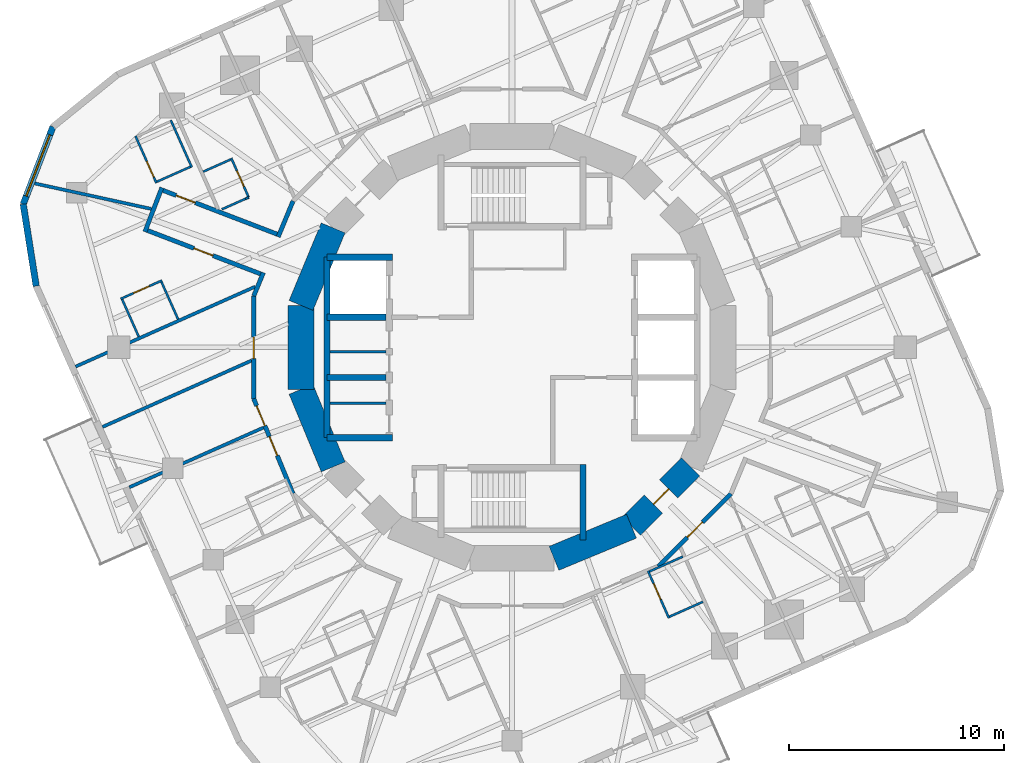
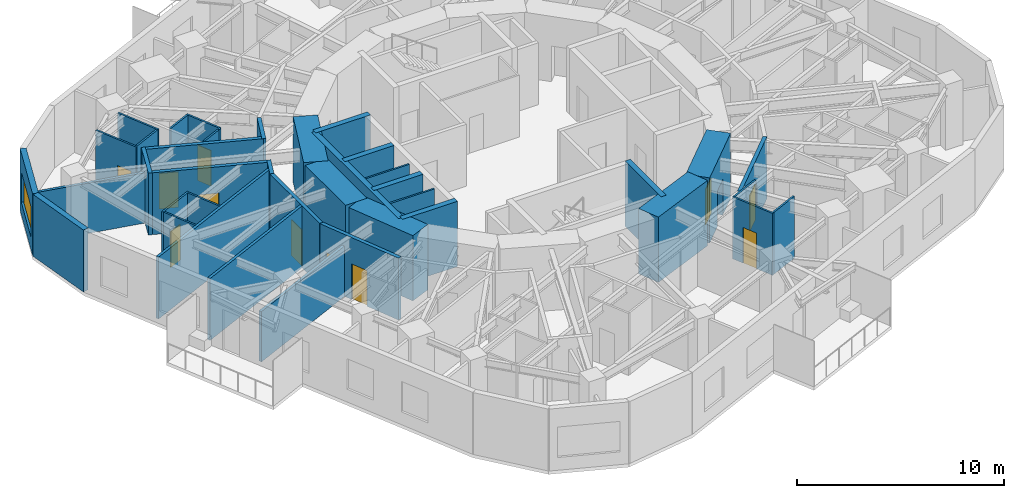
# One storey, part 6 of 12: 40 walls, 11 doors, 1 window, 12 openings.
"""IFC4 building model written with IfcOpenShell, lengths in metres."""

from ifc_helpers import new_model, si_unit, direction, frame, frame_2d, origin, place, context, subcontext, project, spatial, rectangle, extrude, material, layer, layer_set, type_object, element, fill, save


model = new_model("IFC4")

# Units and contexts
model_context = context("Model", 3, precision=1e-05, world=origin(), true_north=direction((0.0, 1.0)))
body_context = subcontext(model_context, "Body", "Model", "MODEL_VIEW")
ifc_project = project(units=[si_unit("LENGTHUNIT", "METRE"), si_unit("AREAUNIT", "SQUARE_METRE"), si_unit("VOLUMEUNIT", "CUBIC_METRE"), si_unit("PLANEANGLEUNIT", "RADIAN"), si_unit("MASSUNIT", "GRAM", prefix="KILO")], contexts=[model_context])

# Site, building, storey
site_placement = place(None, origin())
site = spatial("IfcSite", under=ifc_project, at=site_placement, CompositionType="ELEMENT")
building_placement = place(site_placement, origin())
building = spatial("IfcBuilding", under=site, at=building_placement, Name="Nakasero Lantern House", CompositionType="ELEMENT")
storey_placement = place(building_placement, frame((0.0, 0.0, 197.85009765625)))
storey = spatial("IfcBuildingStorey", under=building, at=storey_placement, Name="L48", CompositionType="ELEMENT", Elevation=197.85009765625)

# Walls
ifc_material_1 = material(Name="Concrete C50/60", Category="concrete")
ifc_layer_1 = layer(ifc_material_1, 0.300048828125)
ifc_layer_set_1 = layer_set([ifc_layer_1], Name="Core inner wall 300")
wall_type_1 = type_object("IfcWallType", Name="Core inner wall 300", PredefinedType="SHEAR", material=ifc_layer_set_1)
for number, where, z_axis, x_axis, name in (
    (1, (-8.60009765625, 4.199951171875, 0.0), (0.0, 0.0, 1.0), (1.0, 0.0, 0.0), "Core inner wall L48 LWN"),
    (2, (-8.60009765625, -4.199951171875, 0.0), (0.0, 0.0, 1.0), (1.0, 0.0, 0.0), "Core inner wall L48 LWS"),
):
    element("IfcWall", number, at=place(storey_placement, frame(where, z_axis=z_axis, x_axis=x_axis)), inside=storey, type_object=wall_type_1, Name=name, PredefinedType="SHEAR", context=body_context, shape_type="SweptSolid", body=[
        extrude(rectangle(XDim=3.050048828125, YDim=0.300048828125, at=frame_2d((1.52490234375, 0.0))), origin(), (0.0, 0.0, 1.0), 3.849853515625),
    ])
wall_1_placement = place(storey_placement, frame((-8.60009765625, -4.199951171875, 0.0), z_axis=(0.0, 0.0, 1.0), x_axis=(0.0, 1.0, 0.0)))
element("IfcWall", 3, at=wall_1_placement, inside=storey, type_object=wall_type_1, Name="Core inner wall L48 LWB", PredefinedType="SHEAR", context=body_context, shape_type="SweptSolid", body=[
    extrude(rectangle(XDim=8.39990234375, YDim=0.300048828125, at=frame_2d((4.199951171875, 0.0))), origin(), (0.0, 0.0, 1.0), 3.849853515625),
])
for number, where, z_axis, x_axis, name in (
    (4, (-8.60009765625, -1.39990234375, 0.0), (0.0, 0.0, 1.0), (1.0, 0.0, 0.0), "Core inner wall L48 LW1"),
    (5, (-8.60009765625, 1.39990234375, 0.0), (0.0, 0.0, 1.0), (1.0, 0.0, 0.0), "Core inner wall L48 LW2"),
):
    element("IfcWall", number, at=place(storey_placement, frame(where, z_axis=z_axis, x_axis=x_axis)), inside=storey, type_object=wall_type_1, Name=name, PredefinedType="SHEAR", context=body_context, shape_type="SweptSolid", body=[
        extrude(rectangle(XDim=2.75, YDim=0.300048828125, at=frame_2d((1.375, 0.0))), origin(), (0.0, 0.0, 1.0), 3.849853515625),
    ])
wall_2_placement = place(storey_placement, frame((3.300048828125, -5.449951171875, 0.0), z_axis=(0.0, 0.0, 1.0), x_axis=(0.0, -1.0, 0.0)))
element("IfcWall", 6, at=wall_2_placement, inside=storey, type_object=wall_type_1, Name="Core inner wall L48 SSE", PredefinedType="SHEAR", context=body_context, shape_type="SweptSolid", body=[
    extrude(rectangle(XDim=3.5, YDim=0.300048828125, at=frame_2d((1.75, 0.0))), origin(), (0.0, 0.0, 1.0), 3.849853515625),
])
ifc_material_2 = material(Name="Blockwork", Category="masonry")
ifc_layer_2 = layer(ifc_material_2, 0.10009765625)
ifc_layer_set_2 = layer_set([ifc_layer_2], Name="Core room wall 100")
wall_type_2 = type_object("IfcWallType", Name="Core room wall 100", PredefinedType="PARTITIONING", material=ifc_layer_set_2)
for number, where, z_axis, x_axis, name in (
    (7, (-8.449951171875, -2.60009765625, 0.0), (0.0, 0.0, 1.0), (1.0, 0.0, 0.0), "Core room wall L48 CR-SH-LW1b"),
    (8, (-8.449951171875, -0.199951171875, 0.0), (0.0, 0.0, 1.0), (1.0, 0.0, 0.0), "Core room wall L48 CR-SH-LW2b"),
):
    element("IfcWall", number, at=place(storey_placement, frame(where, z_axis=z_axis, x_axis=x_axis)), inside=storey, type_object=wall_type_2, Name=name, PredefinedType="PARTITIONING", context=body_context, shape_type="SweptSolid", body=[
        extrude(rectangle(XDim=2.599853515625, YDim=0.10009765625, at=frame_2d((1.2998046875, 0.0))), origin(), (0.0, 0.0, 1.0), 3.64990234375),
    ])
ifc_material_3 = material(Name="Concrete C50/60", Category="concrete")
ifc_layer_3 = layer(ifc_material_3, 1.199951171875)
ifc_layer_set_3 = layer_set([ifc_layer_3], Name="Core wall 1200")
wall_type_3 = type_object("IfcWallType", Name="Core wall 1200", PredefinedType="SHEAR", material=ifc_layer_set_3)
for number, where, z_axis, x_axis, name in (
    (9, (-8.314697265625, 5.5556640625, 0.0), (0.0, 0.0, 1.0), (-0.382690736062, -0.923876507187, 0.0), "Core wall L48 facet 7"),
    (10, (-9.807861328125, 1.950927734375, 0.0), (0.0, 0.0, 1.0), (0.0, -1.0, 0.0), "Core wall L48 facet 8"),
    (11, (-9.807861328125, -1.950927734375, 0.0), (0.0, 0.0, 1.0), (0.382690736062, -0.923876507187, 0.0), "Core wall L48 facet 9"),
    (12, (1.950927734375, -9.807861328125, 0.0), (0.0, 0.0, 1.0), (0.923876507187, 0.382690736062, 0.0), "Core wall L48 facet 13"),
):
    element("IfcWall", number, at=place(storey_placement, frame(where, z_axis=z_axis, x_axis=x_axis)), inside=storey, type_object=wall_type_3, Name=name, PredefinedType="SHEAR", context=body_context, shape_type="SweptSolid", body=[
        extrude(rectangle(XDim=3.90185546875, YDim=1.199951171875, at=frame_2d((1.950927734375, 0.0))), origin(), (0.0, 0.0, 1.0), 3.849853515625),
    ])

# Wall, opening, door
wall_3_placement = place(storey_placement, frame((5.5556640625, -8.314697265625, 0.0), z_axis=(0.0, 0.0, 1.0), x_axis=(0.707106781187, 0.707106781187, 0.0)))
wall_3 = element("IfcWall", 13, at=wall_3_placement, inside=storey, type_object=wall_type_3, Name="Core wall L48 facet 14", PredefinedType="SHEAR", context=body_context, shape_type="SweptSolid", body=[
    extrude(rectangle(XDim=3.90185546875, YDim=1.199951171875, at=frame_2d((1.950927734375, 0.0))), origin(), (0.0, 0.0, 1.0), 3.849853515625),
])
opening_1_placement = place(wall_3_placement, frame((1.450927734375, 0.0, 0.0)))
opening_1 = element("IfcOpeningElement", 14, at=opening_1_placement, cuts=wall_3, Name="Opening D05", PredefinedType="OPENING", context=body_context, shape_type="SweptSolid", body=[
    extrude(rectangle(XDim=1.0, YDim=2.10009765625, at=frame_2d((0.5, 1.050048828125))), frame((0.0, 0.619873046875, 0.0), z_axis=(0.0, -1.0, 0.0), x_axis=(1.0, 0.0, 0.0)), (0.0, 0.0, 1.0), 1.239990234375),
])
ifc_material_4 = material(Name="Timber C24", Category="wood")
door_type_1 = type_object("IfcDoorType", Name="Core door FD60S 1000", OperationType="SINGLE_SWING_LEFT", PredefinedType="DOOR", material=ifc_material_4)
door_1_placement = place(opening_1_placement, origin())
door_1 = element("IfcDoor", 15, at=door_1_placement, inside=storey, type_object=door_type_1, Name="Door L48 D-CORE14", OperationType="SINGLE_SWING_LEFT", OverallHeight=2.10009765625, OverallWidth=1.0, PredefinedType="DOOR", context=body_context, shape_type="SweptSolid", body=[
    extrude(rectangle(XDim=1.0, YDim=2.10009765625, at=frame_2d((0.5, 1.050048828125))), frame((0.0, 0.02490234375, 0.0), z_axis=(0.0, -1.0, 0.0), x_axis=(1.0, 0.0, 0.0)), (0.0, 0.0, 1.0), 0.050048828125),
])
fill(opening_1, door_1)

ifc_material_5 = material(Name="Blockwork", Category="masonry")
ifc_layer_4 = layer(ifc_material_5, 0.199951171875)
ifc_layer_set_4 = layer_set([ifc_layer_4], Name="Corridor wall 200")
wall_type_4 = type_object("IfcWallType", Name="Corridor wall 200", PredefinedType="PARTITIONING", material=ifc_layer_set_4)
wall_4_placement = place(storey_placement, frame((10.1796875, -6.802001953125, 0.0), z_axis=(0.0, 0.0, 1.0), x_axis=(-0.707106781187, -0.707106781187, 0.0)))
wall_4 = element("IfcWall", 16, at=wall_4_placement, inside=storey, type_object=wall_type_4, Name="Corridor wall L48 RC02a", PredefinedType="PARTITIONING", context=body_context, shape_type="SweptSolid", body=[
    extrude(rectangle(XDim=4.77685546875, YDim=0.199951171875, at=frame_2d((2.388427734375, 0.0))), origin(), (0.0, 0.0, 1.0), 3.64990234375),
])
opening_2_placement = place(wall_4_placement, frame((1.8701171875, 0.0, 0.0)))
opening_2 = element("IfcOpeningElement", 17, at=opening_2_placement, cuts=wall_4, Name="Opening D14", PredefinedType="OPENING", context=body_context, shape_type="SweptSolid", body=[
    extrude(rectangle(XDim=1.0, YDim=2.10009765625, at=frame_2d((0.5, 1.050048828125))), frame((0.0, 0.119873046875, 0.0), z_axis=(0.0, -1.0, 0.0), x_axis=(1.0, 0.0, 0.0)), (0.0, 0.0, 1.0), 0.239990234375),
])
ifc_material_6 = material(Name="Timber C24", Category="wood")
door_type_2 = type_object("IfcDoorType", Name="Cluster entrance door FD30S 1000", OperationType="SINGLE_SWING_LEFT", PredefinedType="DOOR", material=ifc_material_6)
door_2_placement = place(opening_2_placement, origin())
door_2 = element("IfcDoor", 18, at=door_2_placement, inside=storey, type_object=door_type_2, Name="Door L48 D3-04", OperationType="SINGLE_SWING_LEFT", OverallHeight=2.10009765625, OverallWidth=1.0, PredefinedType="DOOR", context=body_context, shape_type="SweptSolid", body=[
    extrude(rectangle(XDim=1.0, YDim=2.10009765625, at=frame_2d((0.5, 1.050048828125))), frame((0.0, 0.02490234375, 0.0), z_axis=(0.0, -1.0, 0.0), x_axis=(1.0, 0.0, 0.0)), (0.0, 0.0, 1.0), 0.050048828125),
])
fill(opening_2, door_2)

# Wall, openings, doors
wall_5_placement = place(storey_placement, frame((-10.1796875, -6.802001953125, 0.0), z_axis=(0.0, 0.0, 1.0), x_axis=(-0.382676767893, 0.923882292998, 0.0)))
wall_5 = element("IfcWall", 19, at=wall_5_placement, inside=storey, type_object=wall_type_4, Name="Corridor wall L48 RC07a", PredefinedType="PARTITIONING", context=body_context, shape_type="SweptSolid", body=[
    extrude(rectangle(XDim=4.777099609375, YDim=0.199951171875, at=frame_2d((2.388671875, 0.0))), origin(), (0.0, 0.0, 1.0), 3.64990234375),
])
opening_3_placement = place(wall_5_placement, frame((1.919921875, 0.0, 0.0)))
opening_3 = element("IfcOpeningElement", 20, at=opening_3_placement, cuts=wall_5, Name="Opening D01", PredefinedType="OPENING", context=body_context, shape_type="SweptSolid", body=[
    extrude(rectangle(XDim=0.949951171875, YDim=2.10009765625, at=frame_2d((0.47509765625, 1.050048828125))), frame((0.0, 0.119873046875, 0.0), z_axis=(0.0, -1.0, 0.0), x_axis=(1.0, 0.0, 0.0)), (0.0, 0.0, 1.0), 0.239990234375),
])
opening_4_placement = place(wall_5_placement, frame((3.419921875, 0.0, 0.0)))
opening_4 = element("IfcOpeningElement", 21, at=opening_4_placement, cuts=wall_5, Name="Opening D03", PredefinedType="OPENING", context=body_context, shape_type="SweptSolid", body=[
    extrude(rectangle(XDim=1.0, YDim=2.10009765625, at=frame_2d((0.5, 1.050048828125))), frame((0.0, 0.119873046875, 0.0), z_axis=(0.0, -1.0, 0.0), x_axis=(1.0, 0.0, 0.0)), (0.0, 0.0, 1.0), 0.239990234375),
])
ifc_material_7 = material(Name="Timber C24", Category="wood")
door_type_3 = type_object("IfcDoorType", Name="Bedroom door FD30S 950", OperationType="SINGLE_SWING_LEFT", PredefinedType="DOOR", material=ifc_material_7)
door_3_placement = place(opening_3_placement, origin())
door_3 = element("IfcDoor", 22, at=door_3_placement, inside=storey, type_object=door_type_3, Name="Door L48 D2-03", OperationType="SINGLE_SWING_RIGHT", OverallHeight=2.10009765625, OverallWidth=0.949951171875, PredefinedType="DOOR", context=body_context, shape_type="SweptSolid", body=[
    extrude(rectangle(XDim=0.949951171875, YDim=2.10009765625, at=frame_2d((0.47509765625, 1.050048828125))), frame((0.0, 0.02490234375, 0.0), z_axis=(0.0, -1.0, 0.0), x_axis=(1.0, 0.0, 0.0)), (0.0, 0.0, 1.0), 0.050048828125),
])
fill(opening_3, door_3)
ifc_material_8 = material(Name="Timber C24", Category="wood")
door_type_4 = type_object("IfcDoorType", Name="Lounge door FD30S 1000", OperationType="SINGLE_SWING_LEFT", PredefinedType="DOOR", material=ifc_material_8)
door_4_placement = place(opening_4_placement, origin())
door_4 = element("IfcDoor", 23, at=door_4_placement, inside=storey, type_object=door_type_4, Name="Door L48 DK2-1", OperationType="SINGLE_SWING_RIGHT", OverallHeight=2.10009765625, OverallWidth=1.0, PredefinedType="DOOR", context=body_context, shape_type="SweptSolid", body=[
    extrude(rectangle(XDim=1.0, YDim=2.10009765625, at=frame_2d((0.5, 1.050048828125))), frame((0.0, 0.02490234375, 0.0), z_axis=(0.0, -1.0, 0.0), x_axis=(1.0, 0.0, 0.0)), (0.0, 0.0, 1.0), 0.050048828125),
])
fill(opening_4, door_4)

# Wall, opening, door
wall_6_placement = place(storey_placement, frame((-12.0078125, -2.388427734375, 0.0), z_axis=(0.0, 0.0, 1.0), x_axis=(0.0, 1.0, 0.0)))
wall_6 = element("IfcWall", 24, at=wall_6_placement, inside=storey, type_object=wall_type_4, Name="Corridor wall L48 RC08a", PredefinedType="PARTITIONING", context=body_context, shape_type="SweptSolid", body=[
    extrude(rectangle(XDim=4.77685546875, YDim=0.199951171875, at=frame_2d((2.388427734375, 0.0))), origin(), (0.0, 0.0, 1.0), 3.64990234375),
])
opening_5_placement = place(wall_6_placement, frame((1.8701171875, 0.0, 0.0)))
opening_5 = element("IfcOpeningElement", 25, at=opening_5_placement, cuts=wall_6, Name="Opening D03", PredefinedType="OPENING", context=body_context, shape_type="SweptSolid", body=[
    extrude(rectangle(XDim=1.0, YDim=2.10009765625, at=frame_2d((0.5, 1.050048828125))), frame((0.0, 0.119873046875, 0.0), z_axis=(0.0, -1.0, 0.0), x_axis=(1.0, 0.0, 0.0)), (0.0, 0.0, 1.0), 0.239990234375),
])
door_5_placement = place(opening_5_placement, origin())
door_5 = element("IfcDoor", 26, at=door_5_placement, inside=storey, type_object=door_type_4, Name="Door L48 DK2", OperationType="SINGLE_SWING_LEFT", OverallHeight=2.10009765625, OverallWidth=1.0, PredefinedType="DOOR", context=body_context, shape_type="SweptSolid", body=[
    extrude(rectangle(XDim=1.0, YDim=2.10009765625, at=frame_2d((0.5, 1.050048828125))), frame((0.0, 0.02490234375, 0.0), z_axis=(0.0, -1.0, 0.0), x_axis=(1.0, 0.0, 0.0)), (0.0, 0.0, 1.0), 0.050048828125),
])
fill(opening_5, door_5)

# Walls
wall_7_placement = place(storey_placement, frame((-12.0078125, 2.388427734375, 0.0), z_axis=(0.0, 0.0, 1.0), x_axis=(0.382694679749, 0.923874873612, 0.0)))
element("IfcWall", 27, at=wall_7_placement, inside=storey, type_object=wall_type_4, Name="Corridor wall L48 RC09a", PredefinedType="PARTITIONING", context=body_context, shape_type="SweptSolid", body=[
    extrude(rectangle(XDim=1.173828125, YDim=0.199951171875, at=frame_2d((0.5869140625, 0.0))), origin(), (0.0, 0.0, 1.0), 3.64990234375),
])
wall_8_placement = place(storey_placement, frame((-10.86962890625, 5.136474609375, 0.0), z_axis=(0.0, 0.0, 1.0), x_axis=(0.382710605355, 0.923868276622, 0.0)))
element("IfcWall", 28, at=wall_8_placement, inside=storey, type_object=wall_type_4, Name="Corridor wall L48 RC09b", PredefinedType="PARTITIONING", context=body_context, shape_type="SweptSolid", body=[
    extrude(rectangle(XDim=1.802734375, YDim=0.199951171875, at=frame_2d((0.9013671875, 0.0))), origin(), (0.0, 0.0, 1.0), 3.64990234375),
])

# Wall, opening, door
wall_9_placement = place(storey_placement, frame((-10.831298828125, 5.22900390625, 0.0), z_axis=(0.0, 0.0, 1.0), x_axis=(-0.933584570174, 0.358357154711, 0.0)))
wall_9 = element("IfcWall", 29, at=wall_9_placement, inside=storey, type_object=wall_type_4, Name="Corridor wall L48 SP1a", PredefinedType="PARTITIONING", context=body_context, shape_type="SweptSolid", body=[
    extrude(rectangle(XDim=5.97216796875, YDim=0.199951171875, at=frame_2d((2.986083984375, 0.0))), origin(), (0.0, 0.0, 1.0), 3.64990234375),
])
opening_6_placement = place(wall_9_placement, frame((4.169921875, 0.0, 0.0)))
opening_6 = element("IfcOpeningElement", 30, at=opening_6_placement, cuts=wall_9, Name="Opening D01", PredefinedType="OPENING", context=body_context, shape_type="SweptSolid", body=[
    extrude(rectangle(XDim=0.949951171875, YDim=2.10009765625, at=frame_2d((0.47509765625, 1.050048828125))), frame((0.0, 0.119873046875, 0.0), z_axis=(0.0, -1.0, 0.0), x_axis=(1.0, 0.0, 0.0)), (0.0, 0.0, 1.0), 0.239990234375),
])
door_6_placement = place(opening_6_placement, origin())
door_6 = element("IfcDoor", 31, at=door_6_placement, inside=storey, type_object=door_type_3, Name="Door L48 D1-06", OperationType="SINGLE_SWING_RIGHT", OverallHeight=2.10009765625, OverallWidth=0.949951171875, PredefinedType="DOOR", context=body_context, shape_type="SweptSolid", body=[
    extrude(rectangle(XDim=0.949951171875, YDim=2.10009765625, at=frame_2d((0.47509765625, 1.050048828125))), frame((0.0, 0.02490234375, 0.0), z_axis=(0.0, -1.0, 0.0), x_axis=(1.0, 0.0, 0.0)), (0.0, 0.0, 1.0), 0.050048828125),
])
fill(opening_6, door_6)

wall_10_placement = place(storey_placement, frame((-11.596923828125, 3.380615234375, 0.0), z_axis=(0.0, 0.0, 1.0), x_axis=(-0.933582445172, 0.358362690674, 0.0)))
wall_10 = element("IfcWall", 32, at=wall_10_placement, inside=storey, type_object=wall_type_4, Name="Corridor wall L48 SP1b", PredefinedType="PARTITIONING", context=body_context, shape_type="SweptSolid", body=[
    extrude(rectangle(XDim=5.91943359375, YDim=0.199951171875, at=frame_2d((2.959716796875, 0.0))), origin(), (0.0, 0.0, 1.0), 3.64990234375),
])
opening_7_placement = place(wall_10_placement, frame((2.469970703125, 0.0, 0.0)))
opening_7 = element("IfcOpeningElement", 33, at=opening_7_placement, cuts=wall_10, Name="Opening D01", PredefinedType="OPENING", context=body_context, shape_type="SweptSolid", body=[
    extrude(rectangle(XDim=0.949951171875, YDim=2.10009765625, at=frame_2d((0.47509765625, 1.050048828125))), frame((0.0, 0.119873046875, 0.0), z_axis=(0.0, -1.0, 0.0), x_axis=(1.0, 0.0, 0.0)), (0.0, 0.0, 1.0), 0.239990234375),
])
door_7_placement = place(opening_7_placement, origin())
door_7 = element("IfcDoor", 34, at=door_7_placement, inside=storey, type_object=door_type_3, Name="Door L48 D2-00", OperationType="SINGLE_SWING_LEFT", OverallHeight=2.10009765625, OverallWidth=0.949951171875, PredefinedType="DOOR", context=body_context, shape_type="SweptSolid", body=[
    extrude(rectangle(XDim=0.949951171875, YDim=2.10009765625, at=frame_2d((0.47509765625, 1.050048828125))), frame((0.0, 0.02490234375, 0.0), z_axis=(0.0, -1.0, 0.0), x_axis=(1.0, 0.0, 0.0)), (0.0, 0.0, 1.0), 0.050048828125),
])
fill(opening_7, door_7)

# Wall
wall_11_placement = place(storey_placement, frame((-16.277587890625, 7.426513671875, 0.0), z_axis=(0.0, 0.0, 1.0), x_axis=(-0.358361733464, -0.933582812604, 0.0)))
element("IfcWall", 35, at=wall_11_placement, inside=storey, type_object=wall_type_4, Name="Corridor wall L48 SP1e", PredefinedType="PARTITIONING", context=body_context, shape_type="SweptSolid", body=[
    extrude(rectangle(XDim=2.19970703125, YDim=0.199951171875, at=frame_2d((1.099853515625, 0.0))), origin(), (0.0, 0.0, 1.0), 3.64990234375),
])

# Wall, opening, door
ifc_material_9 = material(Name="Blockwork", Category="masonry")
ifc_layer_5 = layer(ifc_material_9, 0.10009765625)
ifc_layer_set_5 = layer_set([ifc_layer_5], Name="En-suite wall 100")
wall_type_5 = type_object("IfcWallType", Name="En-suite wall 100", PredefinedType="PARTITIONING", material=ifc_layer_set_5)
wall_12_placement = place(storey_placement, frame((-12.23974609375, 6.974853515625, 0.0), z_axis=(0.0, 0.0, 1.0), x_axis=(-0.406727323635, 0.913549606868, 0.0)))
wall_12 = element("IfcWall", 36, at=wall_12_placement, inside=storey, type_object=wall_type_5, Name="En-suite wall L48 ES1-05", PredefinedType="PARTITIONING", context=body_context, shape_type="SweptSolid", body=[
    extrude(rectangle(XDim=2.0, YDim=0.10009765625, at=frame_2d((1.0, 0.0))), origin(), (0.0, 0.0, 1.0), 3.64990234375),
])
opening_8_placement = place(wall_12_placement, frame((0.550048828125, 0.0, 0.0)))
opening_8 = element("IfcOpeningElement", 37, at=opening_8_placement, cuts=wall_12, Name="Opening D02", PredefinedType="OPENING", context=body_context, shape_type="SweptSolid", body=[
    extrude(rectangle(XDim=0.800048828125, YDim=2.10009765625, at=frame_2d((0.39990234375, 1.050048828125))), frame((0.0, 0.070068359375, 0.0), z_axis=(0.0, -1.0, 0.0), x_axis=(1.0, 0.0, 0.0)), (0.0, 0.0, 1.0), 0.14013671875),
])
ifc_material_10 = material(Name="Timber C24", Category="wood")
door_type_5 = type_object("IfcDoorType", Name="En-suite door 800", OperationType="SINGLE_SWING_RIGHT", PredefinedType="DOOR", material=ifc_material_10)
door_8_placement = place(opening_8_placement, origin())
door_8 = element("IfcDoor", 38, at=door_8_placement, inside=storey, type_object=door_type_5, Name="Door L48 DE1-05", OperationType="SINGLE_SWING_LEFT", OverallHeight=2.10009765625, OverallWidth=0.800048828125, PredefinedType="DOOR", context=body_context, shape_type="SweptSolid", body=[
    extrude(rectangle(XDim=0.800048828125, YDim=2.10009765625, at=frame_2d((0.39990234375, 1.050048828125))), frame((0.0, 0.02490234375, 0.0), z_axis=(0.0, -1.0, 0.0), x_axis=(1.0, 0.0, 0.0)), (0.0, 0.0, 1.0), 0.050048828125),
])
fill(opening_8, door_8)

# Wall
wall_13_placement = place(storey_placement, frame((-13.07861328125, 8.736083984375, 0.0), z_axis=(0.0, 0.0, 1.0), x_axis=(-0.9135164993, -0.406801678348, 0.0)))
element("IfcWall", 39, at=wall_13_placement, inside=storey, type_object=wall_type_5, Name="En-suite wall L48 EE1-05", PredefinedType="PARTITIONING", context=body_context, shape_type="SweptSolid", body=[
    extrude(rectangle(XDim=1.400146484375, YDim=0.10009765625, at=frame_2d((0.7001953125, 0.0))), origin(), (0.0, 0.0, 1.0), 3.64990234375),
])

# Wall, opening, door
wall_14_placement = place(storey_placement, frame((-16.530029296875, 7.63720703125, 0.0), z_axis=(0.0, 0.0, 1.0), x_axis=(-0.406808500233, 0.913513461389, 0.0)))
wall_14 = element("IfcWall", 40, at=wall_14_placement, inside=storey, type_object=wall_type_5, Name="En-suite wall L48 ES1-06", PredefinedType="PARTITIONING", context=body_context, shape_type="SweptSolid", body=[
    extrude(rectangle(XDim=2.39990234375, YDim=0.10009765625, at=frame_2d((1.199951171875, 0.0))), origin(), (0.0, 0.0, 1.0), 3.64990234375),
])
opening_9_placement = place(wall_14_placement, frame((0.300048828125, 0.0, 0.0)))
opening_9 = element("IfcOpeningElement", 41, at=opening_9_placement, cuts=wall_14, Name="Opening D02", PredefinedType="OPENING", context=body_context, shape_type="SweptSolid", body=[
    extrude(rectangle(XDim=0.800048828125, YDim=2.10009765625, at=frame_2d((0.39990234375, 1.050048828125))), frame((0.0, 0.070068359375, 0.0), z_axis=(0.0, -1.0, 0.0), x_axis=(1.0, 0.0, 0.0)), (0.0, 0.0, 1.0), 0.14013671875),
])
door_9_placement = place(opening_9_placement, origin())
door_9 = element("IfcDoor", 42, at=door_9_placement, inside=storey, type_object=door_type_5, Name="Door L48 DE1-06", OperationType="SINGLE_SWING_LEFT", OverallHeight=2.10009765625, OverallWidth=0.800048828125, PredefinedType="DOOR", context=body_context, shape_type="SweptSolid", body=[
    extrude(rectangle(XDim=0.800048828125, YDim=2.10009765625, at=frame_2d((0.39990234375, 1.050048828125))), frame((0.0, 0.02490234375, 0.0), z_axis=(0.0, -1.0, 0.0), x_axis=(1.0, 0.0, 0.0)), (0.0, 0.0, 1.0), 0.050048828125),
])
fill(opening_9, door_9)

# Walls
wall_15_placement = place(storey_placement, frame((-14.8857421875, 8.369384765625, 0.0), z_axis=(0.0, 0.0, 1.0), x_axis=(-0.406723602621, 0.913551263516, 0.0)))
element("IfcWall", 43, at=wall_15_placement, inside=storey, type_object=wall_type_5, Name="En-suite wall L48 EV1-06", PredefinedType="PARTITIONING", context=body_context, shape_type="SweptSolid", body=[
    extrude(rectangle(XDim=2.39990234375, YDim=0.10009765625, at=frame_2d((1.199951171875, 0.0))), origin(), (0.0, 0.0, 1.0), 3.64990234375),
])
wall_16_placement = place(storey_placement, frame((-14.95166015625, 8.39453125, 0.0), z_axis=(0.0, 0.0, 1.0), x_axis=(-0.913550776237, -0.406724697108, 0.0)))
element("IfcWall", 44, at=wall_16_placement, inside=storey, type_object=wall_type_5, Name="En-suite wall L48 EI1-06", PredefinedType="PARTITIONING", context=body_context, shape_type="SweptSolid", body=[
    extrude(rectangle(XDim=1.699951171875, YDim=0.10009765625, at=frame_2d((0.85009765625, 0.0))), origin(), (0.0, 0.0, 1.0), 3.64990234375),
])

# Wall, opening, door
wall_17_placement = place(storey_placement, frame((-16.27197265625, 3.11083984375, 0.0), z_axis=(0.0, 0.0, 1.0), x_axis=(-0.913528480824, -0.406774771494, 0.0)))
wall_17 = element("IfcWall", 45, at=wall_17_placement, inside=storey, type_object=wall_type_5, Name="En-suite wall L48 ES2-00", PredefinedType="PARTITIONING", context=body_context, shape_type="SweptSolid", body=[
    extrude(rectangle(XDim=2.10009765625, YDim=0.10009765625, at=frame_2d((1.050048828125, 0.0))), origin(), (0.0, 0.0, 1.0), 3.64990234375),
])
opening_10_placement = place(wall_17_placement, frame((0.64990234375, 0.0, 0.0)))
opening_10 = element("IfcOpeningElement", 46, at=opening_10_placement, cuts=wall_17, Name="Opening D02", PredefinedType="OPENING", context=body_context, shape_type="SweptSolid", body=[
    extrude(rectangle(XDim=0.800048828125, YDim=2.10009765625, at=frame_2d((0.39990234375, 1.050048828125))), frame((0.0, 0.070068359375, 0.0), z_axis=(0.0, -1.0, 0.0), x_axis=(1.0, 0.0, 0.0)), (0.0, 0.0, 1.0), 0.14013671875),
])
door_10_placement = place(opening_10_placement, origin())
door_10 = element("IfcDoor", 47, at=door_10_placement, inside=storey, type_object=door_type_5, Name="Door L48 DE2-00", OperationType="SINGLE_SWING_RIGHT", OverallHeight=2.10009765625, OverallWidth=0.800048828125, PredefinedType="DOOR", context=body_context, shape_type="SweptSolid", body=[
    extrude(rectangle(XDim=0.800048828125, YDim=2.10009765625, at=frame_2d((0.39990234375, 1.050048828125))), frame((0.0, 0.02490234375, 0.0), z_axis=(0.0, -1.0, 0.0), x_axis=(1.0, 0.0, 0.0)), (0.0, 0.0, 1.0), 0.050048828125),
])
fill(opening_10, door_10)

# Walls
wall_18_placement = place(storey_placement, frame((-18.12451171875, 2.2314453125, 0.0), z_axis=(0.0, 0.0, 1.0), x_axis=(0.406674880245, -0.913572953725, 0.0)))
element("IfcWall", 48, at=wall_18_placement, inside=storey, type_object=wall_type_5, Name="En-suite wall L48 EE2-00", PredefinedType="PARTITIONING", context=body_context, shape_type="SweptSolid", body=[
    extrude(rectangle(XDim=1.900146484375, YDim=0.10009765625, at=frame_2d((0.9501953125, 0.0))), origin(), (0.0, 0.0, 1.0), 3.64990234375),
])
wall_19_placement = place(storey_placement, frame((-16.29736328125, 3.044677734375, 0.0), z_axis=(0.0, 0.0, 1.0), x_axis=(0.406722623293, -0.913551699523, 0.0)))
element("IfcWall", 49, at=wall_19_placement, inside=storey, type_object=wall_type_5, Name="En-suite wall L48 EI2-00", PredefinedType="PARTITIONING", context=body_context, shape_type="SweptSolid", body=[
    extrude(rectangle(XDim=1.89990234375, YDim=0.10009765625, at=frame_2d((0.949951171875, 0.0))), origin(), (0.0, 0.0, 1.0), 3.64990234375),
])

# Wall, opening, door
wall_20_placement = place(storey_placement, frame((6.32177734375, -10.39404296875, 0.0), z_axis=(0.0, 0.0, 1.0), x_axis=(0.406685806039, -0.913568090055, 0.0)))
wall_20 = element("IfcWall", 50, at=wall_20_placement, inside=storey, type_object=wall_type_5, Name="En-suite wall L48 ES3-03", PredefinedType="PARTITIONING", context=body_context, shape_type="SweptSolid", body=[
    extrude(rectangle(XDim=2.400146484375, YDim=0.10009765625, at=frame_2d((1.2001953125, 0.0))), origin(), (0.0, 0.0, 1.0), 3.64990234375),
])
opening_11_placement = place(wall_20_placement, frame((0.64990234375, 0.0, 0.0)))
opening_11 = element("IfcOpeningElement", 51, at=opening_11_placement, cuts=wall_20, Name="Opening D15", PredefinedType="OPENING", context=body_context, shape_type="SweptSolid", body=[
    extrude(rectangle(XDim=0.800048828125, YDim=2.10009765625, at=frame_2d((0.39990234375, 1.050048828125))), frame((0.0, 0.070068359375, 0.0), z_axis=(0.0, -1.0, 0.0), x_axis=(1.0, 0.0, 0.0)), (0.0, 0.0, 1.0), 0.14013671875),
])
ifc_material_11 = material(Name="Timber C24", Category="wood")
door_type_6 = type_object("IfcDoorType", Name="Cleaner's store door FD30S 800", OperationType="SINGLE_SWING_LEFT", PredefinedType="DOOR", material=ifc_material_11)
door_11_placement = place(opening_11_placement, origin())
door_11 = element("IfcDoor", 52, at=door_11_placement, inside=storey, type_object=door_type_6, Name="Door L48 DE3-03", OperationType="SINGLE_SWING_LEFT", OverallHeight=2.10009765625, OverallWidth=0.800048828125, PredefinedType="DOOR", context=body_context, shape_type="SweptSolid", body=[
    extrude(rectangle(XDim=0.800048828125, YDim=2.10009765625, at=frame_2d((0.39990234375, 1.050048828125))), frame((0.0, 0.02490234375, 0.0), z_axis=(0.0, -1.0, 0.0), x_axis=(1.0, 0.0, 0.0)), (0.0, 0.0, 1.0), 0.050048828125),
])
fill(opening_11, door_11)

# Walls
for number, where, z_axis, x_axis, name in (
    (53, (7.3232421875, -12.5205078125, 0.0), (0.0, 0.0, 1.0), (0.913550776237, 0.406724697108, 0.0), "En-suite wall L48 EE3-03"),
    (54, (6.3876953125, -10.41943359375, 0.0), (0.0, 0.0, 1.0), (0.913550776237, 0.406724697108, 0.0), "En-suite wall L48 EI3-03"),
):
    element("IfcWall", number, at=place(storey_placement, frame(where, z_axis=z_axis, x_axis=x_axis)), inside=storey, type_object=wall_type_5, Name=name, PredefinedType="PARTITIONING", context=body_context, shape_type="SweptSolid", body=[
        extrude(rectangle(XDim=1.699951171875, YDim=0.10009765625, at=frame_2d((0.85009765625, 0.0))), origin(), (0.0, 0.0, 1.0), 3.64990234375),
    ])
wall_21_placement = place(storey_placement, frame((-13.48681640625, 6.419677734375, 0.0), z_axis=(0.0, 0.0, 1.0), x_axis=(0.913510535277, 0.406815070933, 0.0)))
element("IfcWall", 55, at=wall_21_placement, inside=storey, type_object=wall_type_5, Name="En-suite wall L48 EX001", PredefinedType="PARTITIONING", context=body_context, shape_type="SweptSolid", body=[
    extrude(rectangle(XDim=1.205078125, YDim=0.10009765625, at=frame_2d((0.6025390625, 0.0))), origin(), (0.0, 0.0, 1.0), 3.64990234375),
])
wall_22_placement = place(storey_placement, frame((-12.23974609375, 6.974853515625, 0.0), z_axis=(0.0, 0.0, 1.0), x_axis=(-0.913937341612, -0.405855313637, 0.0)))
element("IfcWall", 56, at=wall_22_placement, inside=storey, type_object=wall_type_5, Name="En-suite wall L48 ES1-05R0", PredefinedType="PARTITIONING", context=body_context, shape_type="SweptSolid", body=[
    extrude(rectangle(XDim=0.159912109375, YDim=0.10009765625, at=frame_2d((0.080078125, 0.0))), origin(), (0.0, 0.0, 1.0), 3.64990234375),
])

# Wall, opening, window
ifc_material_12 = material(Name="Aluminium rainscreen on blockwork", Category="masonry")
ifc_layer_6 = layer(ifc_material_12, 0.300048828125)
ifc_layer_set_6 = layer_set([ifc_layer_6], Name="Facade wall 300")
wall_type_6 = type_object("IfcWallType", Name="Facade wall 300", PredefinedType="SOLIDWALL", material=ifc_layer_set_6)
wall_23_placement = place(storey_placement, frame((-21.342529296875, 10.258056640625, 0.0), z_axis=(0.0, 0.0, 1.0), x_axis=(-0.358321438858, -0.933598278948, 0.0)))
wall_23 = element("IfcWall", 57, at=wall_23_placement, inside=storey, type_object=wall_type_6, Name="Facade wall L48 FW1C2", PredefinedType="SOLIDWALL", context=body_context, shape_type="SweptSolid", body=[
    extrude(rectangle(XDim=3.8564453125, YDim=0.300048828125, at=frame_2d((1.92822265625, 0.0))), origin(), (0.0, 0.0, 1.0), 3.64990234375),
])
opening_12_placement = place(wall_23_placement, frame((0.39990234375, 0.0, 0.75)))
opening_12 = element("IfcOpeningElement", 58, at=opening_12_placement, cuts=wall_23, Name="Opening W230", PredefinedType="OPENING", context=body_context, shape_type="SweptSolid", body=[
    extrude(rectangle(XDim=3.055908203125, YDim=1.800048828125, at=frame_2d((1.52783203125, 0.89990234375))), frame((0.0, 0.169921875, 0.0), z_axis=(0.0, -1.0, 0.0), x_axis=(1.0, 0.0, 0.0)), (0.0, 0.0, 1.0), 0.340087890625),
])
ifc_material_13 = material(Name="Aluminium 6063-T6 and glass", Category="aluminium")
window_type = type_object("IfcWindowType", Name="Corner window 3056x1800", PartitioningType="SINGLE_PANEL", PredefinedType="WINDOW", material=ifc_material_13)
window_placement = place(opening_12_placement, origin())
window = element("IfcWindow", 59, at=window_placement, inside=storey, type_object=window_type, Name="Window L48 WC1", OverallHeight=1.800048828125, OverallWidth=3.055908203125, PartitioningType="SINGLE_PANEL", PredefinedType="WINDOW", context=body_context, shape_type="SweptSolid", body=[
    extrude(rectangle(XDim=3.055908203125, YDim=1.800048828125, at=frame_2d((1.52783203125, 0.89990234375))), frame((0.0, 0.030029296875, 0.0), z_axis=(0.0, -1.0, 0.0), x_axis=(1.0, 0.0, 0.0)), (0.0, 0.0, 1.0), 0.06005859375),
])
fill(opening_12, window)

# Walls
wall_24_placement = place(storey_placement, frame((-22.724365234375, 6.65771484375, 0.0), z_axis=(0.0, 0.0, 1.0), x_axis=(0.156437203878, -0.987687906802, 0.0)))
element("IfcWall", 60, at=wall_24_placement, inside=storey, type_object=wall_type_6, Name="Facade wall L48 FW1C3", PredefinedType="SOLIDWALL", context=body_context, shape_type="SweptSolid", body=[
    extrude(rectangle(XDim=3.856201171875, YDim=0.300048828125, at=frame_2d((1.92822265625, 0.0))), origin(), (0.0, 0.0, 1.0), 3.64990234375),
])
ifc_material_14 = material(Name="Blockwork", Category="masonry")
ifc_layer_7 = layer(ifc_material_14, 0.14990234375)
ifc_layer_set_7 = layer_set([ifc_layer_7], Name="Party wall 150")
wall_type_7 = type_object("IfcWallType", Name="Party wall 150", PredefinedType="PARTITIONING", material=ifc_layer_set_7)
wall_25_placement = place(storey_placement, frame((-16.76513671875, 6.435546875, 0.0), z_axis=(0.0, 0.0, 1.0), x_axis=(-0.976891696422, 0.213734913997, 0.0)))
element("IfcWall", 61, at=wall_25_placement, inside=storey, type_object=wall_type_7, Name="Party wall L48 PW2-00", PredefinedType="PARTITIONING", context=body_context, shape_type="SweptSolid", body=[
    extrude(rectangle(XDim=5.55126953125, YDim=0.14990234375, at=frame_2d((2.775634765625, 0.0))), origin(), (0.0, 0.0, 1.0), 2.96630859375),
])
wall_26_placement = place(storey_placement, frame((-11.935302734375, 2.824951171875, 0.0), z_axis=(0.0, 0.0, 1.0), x_axis=(-0.91355156837, -0.40672291788, 0.0)))
element("IfcWall", 62, at=wall_26_placement, inside=storey, type_object=wall_type_7, Name="Party wall L48 PW2-01", PredefinedType="PARTITIONING", context=body_context, shape_type="SweptSolid", body=[
    extrude(rectangle(XDim=9.1455078125, YDim=0.14990234375, at=frame_2d((4.57275390625, 0.0))), origin(), (0.0, 0.0, 1.0), 3.64990234375),
])
wall_27_placement = place(storey_placement, frame((-12.10791015625, -0.61376953125, 0.0), z_axis=(0.0, 0.0, 1.0), x_axis=(-0.913552679772, -0.406720421521, 0.0)))
element("IfcWall", 63, at=wall_27_placement, inside=storey, type_object=wall_type_7, Name="Party wall L48 PW2-02", PredefinedType="PARTITIONING", context=body_context, shape_type="SweptSolid", body=[
    extrude(rectangle(XDim=7.589111328125, YDim=0.14990234375, at=frame_2d((3.79443359375, 0.0))), origin(), (0.0, 0.0, 1.0), 3.64990234375),
])
wall_28_placement = place(storey_placement, frame((-11.559814453125, -3.7314453125, 0.0), z_axis=(0.0, 0.0, 1.0), x_axis=(-0.913544226514, -0.406739408224, 0.0)))
element("IfcWall", 64, at=wall_28_placement, inside=storey, type_object=wall_type_7, Name="Party wall L48 PW2-03", PredefinedType="PARTITIONING", context=body_context, shape_type="SweptSolid", body=[
    extrude(rectangle(XDim=6.82177734375, YDim=0.14990234375, at=frame_2d((3.410888671875, 0.0))), origin(), (0.0, 0.0, 1.0), 2.96630859375),
])

save(model, "model.ifc")
